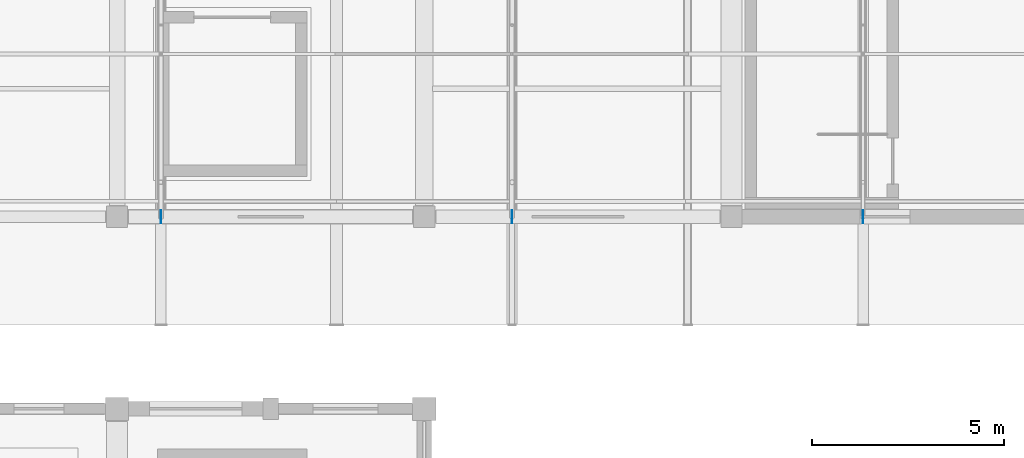
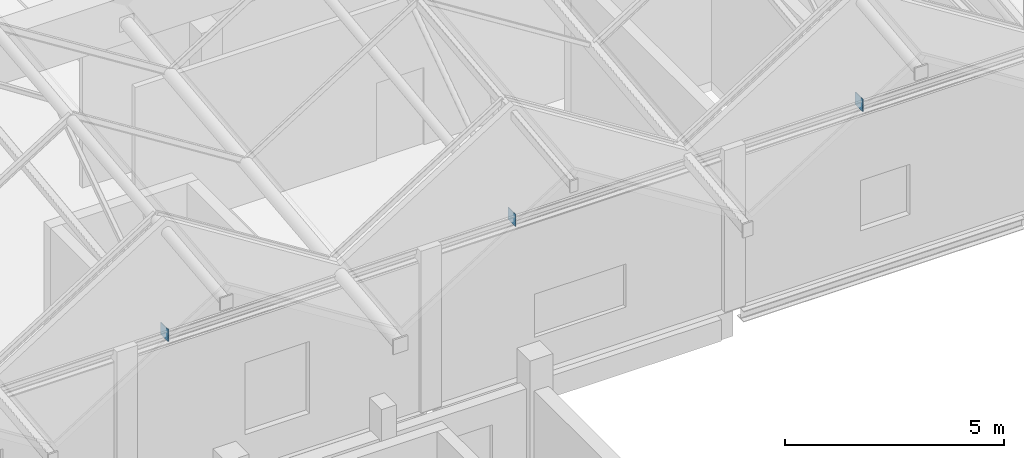
# One storey, part 133 of 183: 3 plates.
"""IFC4 building model written with IfcOpenShell, lengths in metres."""

from ifc_helpers import new_model, si_unit, direction, frame, origin, origin_2d, place, context, subcontext, project, spatial, rectangle, extrude, material, layer, layer_set, type_object, element, save


model = new_model("IFC4")

# Units and contexts
model_context = context("Model", 3, precision=1e-05, world=origin(), true_north=direction((0.0, 1.0)))
body_context = subcontext(model_context, "Body", "Model", "MODEL_VIEW")
ifc_project = project(units=[si_unit("LENGTHUNIT", "METRE"), si_unit("AREAUNIT", "SQUARE_METRE"), si_unit("VOLUMEUNIT", "CUBIC_METRE"), si_unit("PLANEANGLEUNIT", "RADIAN"), si_unit("MASSUNIT", "GRAM", prefix="KILO")], contexts=[model_context])

# Site, building, storey
site_placement = place(None, origin())
site = spatial("IfcSite", under=ifc_project, at=site_placement, CompositionType="ELEMENT")
building_placement = place(site_placement, origin())
building = spatial("IfcBuilding", under=site, at=building_placement, Name="Luwemba Playhouse", CompositionType="ELEMENT")
storey_placement = place(building_placement, frame((0.0, 0.0, 4.800048828125)))
storey = spatial("IfcBuildingStorey", under=building, at=storey_placement, Name="L01", CompositionType="ELEMENT", Elevation=4.800048828125)

# Plates
ifc_material = material(Name="Steel S355", Category="steel")
ifc_layer = layer(ifc_material, 0.02001953125)
ifc_layer_set = layer_set([ifc_layer], Name="Steel S355")
plate_type = type_object("IfcPlateType", Name="PLT-GP2", PredefinedType="USERDEFINED", material=ifc_layer_set)
for number, where, z_axis, x_axis, name in (
    (1, (45.142822265625, 95.0, 4.22998046875), (0.0, 0.0, 1.0), (1.0, 0.0, 0.0), "Truss node gusset cap plate 0166"),
    (2, (54.28564453125, 95.0, 4.22998046875), (0.0, 0.0, 1.0), (1.0, 0.0, 0.0), "Truss node gusset cap plate 0169"),
    (3, (63.4287109375, 95.0, 4.22998046875), (0.0, 0.0, 1.0), (1.0, 0.0, 0.0), "Truss node gusset cap plate 0172"),
):
    element("IfcPlate", number, at=place(storey_placement, frame(where, z_axis=z_axis, x_axis=x_axis)), inside=storey, type_object=plate_type, Name=name, ObjectType="GUSSET PLATE", PredefinedType="USERDEFINED", context=body_context, shape_type="SweptSolid", body=[
        extrude(rectangle(XDim=0.02001953125, YDim=0.340087890625, at=origin_2d()), origin(), (0.0, 0.0, 1.0), 0.340087890625),
    ])

save(model, "model.ifc")
